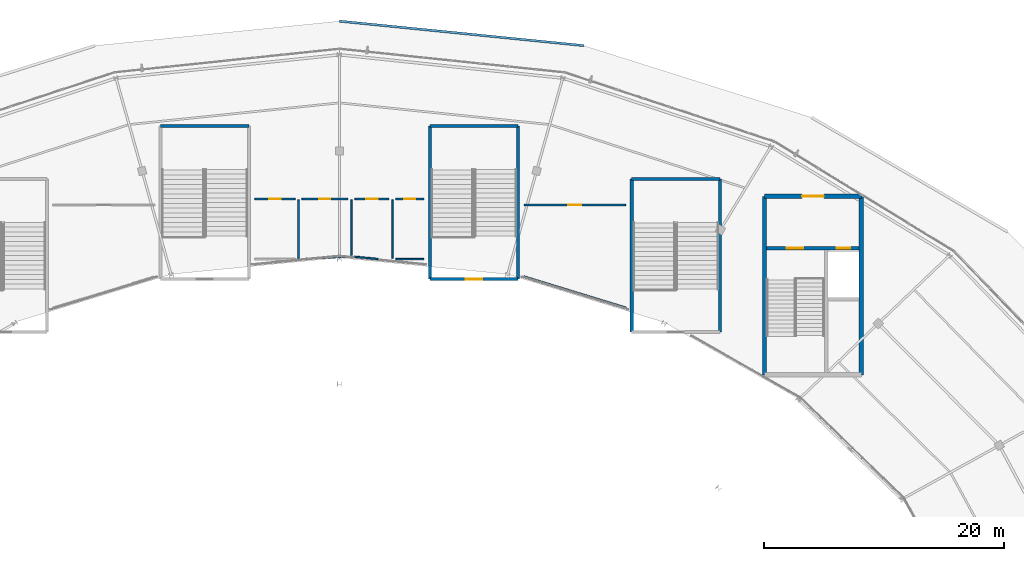
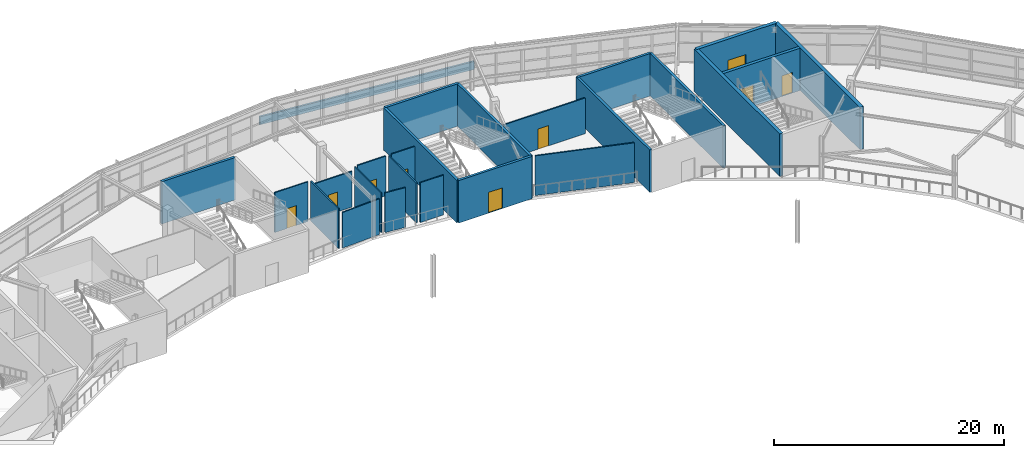
# One storey, part 109 of 126: 25 walls, 9 doors, 9 openings.
"""IFC4 building model written with IfcOpenShell, lengths in metres."""

from ifc_helpers import new_model, si_unit, direction, frame, frame_2d, origin, place, context, subcontext, project, spatial, rectangle, extrude, material, layer, layer_set, type_object, element, fill, save


model = new_model("IFC4")

# Units and contexts
model_context = context("Model", 3, precision=1e-05, world=origin(), true_north=direction((0.0, 1.0)))
body_context = subcontext(model_context, "Body", "Model", "MODEL_VIEW")
ifc_project = project(units=[si_unit("LENGTHUNIT", "METRE"), si_unit("AREAUNIT", "SQUARE_METRE"), si_unit("VOLUMEUNIT", "CUBIC_METRE"), si_unit("PLANEANGLEUNIT", "RADIAN"), si_unit("MASSUNIT", "GRAM", prefix="KILO")], contexts=[model_context])

# Site, building, storey
site_placement = place(None, origin())
site = spatial("IfcSite", under=ifc_project, at=site_placement, CompositionType="ELEMENT")
building_placement = place(site_placement, origin())
building = spatial("IfcBuilding", under=site, at=building_placement, Name="Kalgoora Escarpment Arena", CompositionType="ELEMENT")
storey_placement = place(building_placement, frame((0.0, 0.0, 18.89990234375)))
storey = spatial("IfcBuildingStorey", under=building, at=storey_placement, Name="L04", CompositionType="ELEMENT", Elevation=18.89990234375)

# Wall, opening, door
ifc_material_1 = material(Name="Concrete N50 (fc' 50 MPa)", Category="concrete")
ifc_layer_1 = layer(ifc_material_1, 0.35009765625)
ifc_layer_set_1 = layer_set([ifc_layer_1], Name="WAL-CORE-350")
wall_type_1 = type_object("IfcWallType", Name="WAL-CORE-350", PredefinedType="SHEAR", material=ifc_layer_set_1)
wall_1_placement = place(storey_placement, frame((127.77490234375, 109.22509765625, 0.0), z_axis=(0.0, 0.0, 1.0), x_axis=(1.0, 0.0, 0.0)))
wall_1 = element("IfcWall", 1, at=wall_1_placement, inside=storey, type_object=wall_type_1, Name="Core C4 L04 north lobby wall", PredefinedType="SHEAR", context=body_context, shape_type="SweptSolid", body=[
    extrude(rectangle(XDim=8.050048828125, YDim=0.35009765625, at=frame_2d((4.02490234375, 0.0))), origin(), (0.0, 0.0, 1.0), 4.5),
])
opening_1_placement = place(wall_1_placement, frame((3.125, 0.0, 0.0)))
opening_1 = element("IfcOpeningElement", 2, at=opening_1_placement, cuts=wall_1, Name="Opening FD-C4L", PredefinedType="OPENING", context=body_context, shape_type="SweptSolid", body=[
    extrude(rectangle(XDim=1.800048828125, YDim=2.25, at=frame_2d((0.89990234375, 1.125))), frame((0.0, 0.18505859375, 0.0), z_axis=(0.0, -1.0, 0.0), x_axis=(1.0, 0.0, 0.0)), (0.0, 0.0, 1.0), 0.3701171875),
])
ifc_material_2 = material(Name="Double fire-rated smoke-seal lobby door")
door_type_1 = type_object("IfcDoorType", Name="DR-LOBBY-1800", OperationType="NOTDEFINED", PredefinedType="DOOR", material=ifc_material_2)
door_1_placement = place(opening_1_placement, origin())
door_1 = element("IfcDoor", 3, at=door_1_placement, inside=storey, type_object=door_type_1, Name="Core C4 L04 smoke-lobby fire door", OperationType="DOUBLE_DOOR_SINGLE_SWING", OverallHeight=2.25, OverallWidth=1.800048828125, PredefinedType="DOOR", context=body_context, shape_type="SweptSolid", body=[
    extrude(rectangle(XDim=1.800048828125, YDim=2.25, at=frame_2d((0.89990234375, 1.125))), frame((0.0, 0.02490234375, 0.0), z_axis=(0.0, -1.0, 0.0), x_axis=(1.0, 0.0, 0.0)), (0.0, 0.0, 1.0), 0.050048828125),
])
fill(opening_1, door_1)

# Walls
for number, where, z_axis, x_axis, name in (
    (4, (127.77490234375, 94.375, 0.0), (0.0, 0.0, 1.0), (0.0, 1.0, 0.0), "Core C4 L04 west shear wall"),
    (5, (135.824951171875, 94.375, 0.0), (0.0, 0.0, 1.0), (0.0, 1.0, 0.0), "Core C4 L04 east shear wall"),
):
    element("IfcWall", number, at=place(storey_placement, frame(where, z_axis=z_axis, x_axis=x_axis)), inside=storey, type_object=wall_type_1, Name=name, PredefinedType="SHEAR", context=body_context, shape_type="SweptSolid", body=[
        extrude(rectangle(XDim=14.85009765625, YDim=0.35009765625, at=frame_2d((7.425048828125, 0.0))), origin(), (0.0, 0.0, 1.0), 4.5),
    ])
ifc_material_3 = material(Name="Hospitality acoustic drywall partition", Category="gypsum")
ifc_layer_2 = layer(ifc_material_3, 0.135009765625)
ifc_layer_set_2 = layer_set([ifc_layer_2], Name="WAL-DIN-135")
wall_type_2 = type_object("IfcWallType", Name="WAL-DIN-135", PredefinedType="PARTITIONING", material=ifc_layer_set_2)
wall_2_placement = place(storey_placement, frame((116.228515625, 99.947021484375, 0.0), z_axis=(0.0, 0.0, 1.0), x_axis=(-0.955968559478, 0.293469101082, 0.0)))
element("IfcWall", 6, at=wall_2_placement, inside=storey, type_object=wall_type_2, Name="L04 Sponsors Cocktail Lounge partition wall", PredefinedType="PARTITIONING", context=body_context, shape_type="SweptSolid", body=[
    extrude(rectangle(XDim=8.8466796875, YDim=0.135009765625, at=frame_2d((4.42333984375, 0.0))), origin(), (0.0, 0.0, 1.0), 4.210205078125),
])

# Wall, opening, door
wall_3_placement = place(storey_placement, frame((107.77490234375, 108.5, 0.0), z_axis=(0.0, 0.0, 1.0), x_axis=(1.0, 0.0, 0.0)))
wall_3 = element("IfcWall", 7, at=wall_3_placement, inside=storey, type_object=wall_type_2, Name="L04 Sponsors Cocktail Lounge partition wall", PredefinedType="PARTITIONING", context=body_context, shape_type="SweptSolid", body=[
    extrude(rectangle(XDim=8.4501953125, YDim=0.135009765625, at=frame_2d((4.22509765625, 0.0))), origin(), (0.0, 0.0, 1.0), 3.779052734375),
])
opening_2_placement = place(wall_3_placement, frame((3.68505859375, 0.0, 0.0)))
opening_2 = element("IfcOpeningElement", 8, at=opening_2_placement, cuts=wall_3, Name="Opening FD-I138", PredefinedType="OPENING", context=body_context, shape_type="SweptSolid", body=[
    extrude(rectangle(XDim=1.080078125, YDim=2.14990234375, at=frame_2d((0.5400390625, 1.074951171875))), frame((0.0, 0.077392578125, 0.0), z_axis=(0.0, -1.0, 0.0), x_axis=(1.0, 0.0, 0.0)), (0.0, 0.0, 1.0), 0.155029296875),
])
ifc_material_4 = material(Name="Solid-core acoustic timber door", Category="wood")
door_type_2 = type_object("IfcDoorType", Name="DR-GEN-1080", OperationType="NOTDEFINED", PredefinedType="DOOR", material=ifc_material_4)
door_2_placement = place(opening_2_placement, origin())
door_2 = element("IfcDoor", 9, at=door_2_placement, inside=storey, type_object=door_type_2, Name="Sponsors Cocktail Lounge entrance door", OperationType="SINGLE_SWING_RIGHT", OverallHeight=2.14990234375, OverallWidth=1.080078125, PredefinedType="DOOR", context=body_context, shape_type="SweptSolid", body=[
    extrude(rectangle(XDim=1.080078125, YDim=2.14990234375, at=frame_2d((0.5400390625, 1.074951171875))), frame((0.0, 0.02490234375, 0.0), z_axis=(0.0, -1.0, 0.0), x_axis=(1.0, 0.0, 0.0)), (0.0, 0.0, 1.0), 0.050048828125),
])
fill(opening_2, door_2)

# Wall
ifc_material_5 = material(Name="Stepped ziggurat roof parapet Concrete N40 (fc' 40 MPa)", Category="concrete")
ifc_layer_3 = layer(ifc_material_5, 0.18505859375)
ifc_layer_set_3 = layer_set([ifc_layer_3], Name="WAL-PAR-185")
wall_type_3 = type_object("IfcWallType", Name="WAL-PAR-185", PredefinedType="PARAPET", material=ifc_layer_set_3)
wall_4_placement = place(storey_placement, frame((92.39990234375, 123.800048828125, 0.0), z_axis=(0.0, 0.0, 1.0), x_axis=(0.995021334676, -0.099662146979, 0.0)))
element("IfcWall", 10, at=wall_4_placement, inside=storey, type_object=wall_type_3, Name="L04 stepped ziggurat limestone parapet 012", PredefinedType="PARAPET", context=body_context, shape_type="SweptSolid", body=[
    extrude(rectangle(XDim=20.445068359375, YDim=0.18505859375, at=frame_2d((10.22265625, 0.0))), origin(), (0.0, 0.0, 1.0), 0.85009765625),
])

# Wall, openings, doors
ifc_material_6 = material(Name="Concrete N50 (fc' 50 MPa)", Category="concrete")
ifc_layer_4 = layer(ifc_material_6, 0.300048828125)
ifc_layer_set_4 = layer_set([ifc_layer_4], Name="WAL-SHAFT-300")
wall_type_4 = type_object("IfcWallType", Name="WAL-SHAFT-300", PredefinedType="SHEAR", material=ifc_layer_set_4)
wall_5_placement = place(storey_placement, frame((127.949951171875, 104.89990234375, 0.0), z_axis=(0.0, 0.0, 1.0), x_axis=(1.0, 0.0, 0.0)))
wall_5 = element("IfcWall", 11, at=wall_5_placement, inside=storey, type_object=wall_type_4, Name="Core C4 L04 lobby shaft wall", PredefinedType="SHEAR", context=body_context, shape_type="SweptSolid", body=[
    extrude(rectangle(XDim=7.699951171875, YDim=0.300048828125, at=frame_2d((3.85009765625, 0.0))), origin(), (0.0, 0.0, 1.0), 4.5),
])
opening_3_placement = place(wall_5_placement, frame((1.64990234375, 0.0, 0.0)))
opening_3 = element("IfcOpeningElement", 12, at=opening_3_placement, cuts=wall_5, Name="Opening FD-ST04", PredefinedType="OPENING", context=body_context, shape_type="SweptSolid", body=[
    extrude(rectangle(XDim=1.39990234375, YDim=2.199951171875, at=frame_2d((0.699951171875, 1.10009765625))), frame((0.0, 0.159912109375, 0.0), z_axis=(0.0, -1.0, 0.0), x_axis=(1.0, 0.0, 0.0)), (0.0, 0.0, 1.0), 0.320068359375),
])
opening_4_placement = place(wall_5_placement, frame((5.85009765625, 0.0, 0.0)))
opening_4 = element("IfcOpeningElement", 13, at=opening_4_placement, cuts=wall_5, Name="Opening LD-PL2", PredefinedType="OPENING", context=body_context, shape_type="SweptSolid", body=[
    extrude(rectangle(XDim=1.10009765625, YDim=2.199951171875, at=frame_2d((0.550048828125, 1.10009765625))), frame((0.0, 0.159912109375, 0.0), z_axis=(0.0, -1.0, 0.0), x_axis=(1.0, 0.0, 0.0)), (0.0, 0.0, 1.0), 0.320068359375),
])
ifc_material_7 = material(Name="Brushed stainless steel sliding lift landing door", Category="steel")
door_type_3 = type_object("IfcDoorType", Name="DR-LD-PL2", OperationType="SLIDING_TO_LEFT", PredefinedType="DOOR", material=ifc_material_7)
door_3_placement = place(opening_4_placement, origin())
door_3 = element("IfcDoor", 14, at=door_3_placement, inside=storey, type_object=door_type_3, Name="Lift PL2 L04 sliding landing door", OperationType="SLIDING_TO_LEFT", OverallHeight=2.199951171875, OverallWidth=1.10009765625, PredefinedType="DOOR", context=body_context, shape_type="SweptSolid", body=[
    extrude(rectangle(XDim=1.10009765625, YDim=2.199951171875, at=frame_2d((0.550048828125, 1.10009765625))), frame((0.0, 0.02490234375, 0.0), z_axis=(0.0, -1.0, 0.0), x_axis=(1.0, 0.0, 0.0)), (0.0, 0.0, 1.0), 0.050048828125),
])
fill(opening_4, door_3)
ifc_material_8 = material(Name="Fire-rated steel stair leaf with vision panel", Category="steel")
door_type_4 = type_object("IfcDoorType", Name="DR-STAIR-1400", OperationType="NOTDEFINED", PredefinedType="DOOR", material=ifc_material_8)
door_4_placement = place(opening_3_placement, origin())
door_4 = element("IfcDoor", 15, at=door_4_placement, inside=storey, type_object=door_type_4, Name="Fire stair ST04 L04 fire door", OperationType="SINGLE_SWING_LEFT", OverallHeight=2.199951171875, OverallWidth=1.39990234375, PredefinedType="DOOR", context=body_context, shape_type="SweptSolid", body=[
    extrude(rectangle(XDim=1.39990234375, YDim=2.199951171875, at=frame_2d((0.699951171875, 1.10009765625))), frame((0.0, 0.02490234375, 0.0), z_axis=(0.0, -1.0, 0.0), x_axis=(1.0, 0.0, 0.0)), (0.0, 0.0, 1.0), 0.050048828125),
])
fill(opening_3, door_4)

# Wall
ifc_material_9 = material(Name="Concrete N50 (fc' 50 MPa)", Category="concrete")
ifc_layer_5 = layer(ifc_material_9, 0.25)
ifc_layer_set_5 = layer_set([ifc_layer_5], Name="WAL-STAIR-250")
wall_type_5 = type_object("IfcWallType", Name="WAL-STAIR-250", PredefinedType="SHEAR", material=ifc_layer_set_5)
wall_6_placement = place(storey_placement, frame((77.52490234375, 115.074951171875, 0.0), z_axis=(0.0, 0.0, 1.0), x_axis=(1.0, 0.0, 0.0)))
element("IfcWall", 16, at=wall_6_placement, inside=storey, type_object=wall_type_5, Name="Exit stair ST10 L04 north wall", PredefinedType="SHEAR", context=body_context, shape_type="SweptSolid", body=[
    extrude(rectangle(XDim=7.35009765625, YDim=0.25, at=frame_2d((3.675048828125, 0.0))), origin(), (0.0, 0.0, 1.0), 4.5),
])

# Wall, opening, door
wall_7_placement = place(storey_placement, frame((99.925048828125, 102.324951171875, 0.0), z_axis=(0.0, 0.0, 1.0), x_axis=(1.0, 0.0, 0.0)))
wall_7 = element("IfcWall", 17, at=wall_7_placement, inside=storey, type_object=wall_type_5, Name="Exit stair ST11 L04 south wall", PredefinedType="SHEAR", context=body_context, shape_type="SweptSolid", body=[
    extrude(rectangle(XDim=7.349853515625, YDim=0.25, at=frame_2d((3.6748046875, 0.0))), origin(), (0.0, 0.0, 1.0), 4.5),
])
opening_5_placement = place(wall_7_placement, frame((2.97509765625, 0.0, 0.0)))
opening_5 = element("IfcOpeningElement", 18, at=opening_5_placement, cuts=wall_7, Name="Opening FD-ST11", PredefinedType="OPENING", context=body_context, shape_type="SweptSolid", body=[
    extrude(rectangle(XDim=1.39990234375, YDim=2.199951171875, at=frame_2d((0.699951171875, 1.10009765625))), frame((0.0, 0.135009765625, 0.0), z_axis=(0.0, -1.0, 0.0), x_axis=(1.0, 0.0, 0.0)), (0.0, 0.0, 1.0), 0.27001953125),
])
door_5_placement = place(opening_5_placement, origin())
door_5 = element("IfcDoor", 19, at=door_5_placement, inside=storey, type_object=door_type_4, Name="Fire-isolated stair ST11 L04 egress door", OperationType="SINGLE_SWING_LEFT", OverallHeight=2.199951171875, OverallWidth=1.39990234375, PredefinedType="DOOR", context=body_context, shape_type="SweptSolid", body=[
    extrude(rectangle(XDim=1.39990234375, YDim=2.199951171875, at=frame_2d((0.699951171875, 1.10009765625))), frame((0.0, 0.02490234375, 0.0), z_axis=(0.0, -1.0, 0.0), x_axis=(1.0, 0.0, 0.0)), (0.0, 0.0, 1.0), 0.050048828125),
])
fill(opening_5, door_5)

# Walls
wall_8_placement = place(storey_placement, frame((99.925048828125, 115.074951171875, 0.0), z_axis=(0.0, 0.0, 1.0), x_axis=(1.0, 0.0, 0.0)))
element("IfcWall", 20, at=wall_8_placement, inside=storey, type_object=wall_type_5, Name="Exit stair ST11 L04 north wall", PredefinedType="SHEAR", context=body_context, shape_type="SweptSolid", body=[
    extrude(rectangle(XDim=7.349853515625, YDim=0.25, at=frame_2d((3.6748046875, 0.0))), origin(), (0.0, 0.0, 1.0), 4.5),
])
for number, where, z_axis, x_axis, name in (
    (21, (99.925048828125, 102.324951171875, 0.0), (0.0, 0.0, 1.0), (0.0, 1.0, 0.0), "Exit stair ST11 L04 west wall"),
    (22, (107.27490234375, 102.324951171875, 0.0), (0.0, 0.0, 1.0), (0.0, 1.0, 0.0), "Exit stair ST11 L04 east wall"),
):
    element("IfcWall", number, at=place(storey_placement, frame(where, z_axis=z_axis, x_axis=x_axis)), inside=storey, type_object=wall_type_5, Name=name, PredefinedType="SHEAR", context=body_context, shape_type="SweptSolid", body=[
        extrude(rectangle(XDim=12.75, YDim=0.25, at=frame_2d((6.375, 0.0))), origin(), (0.0, 0.0, 1.0), 4.5),
    ])
wall_9_placement = place(storey_placement, frame((116.72509765625, 110.675048828125, 0.0), z_axis=(0.0, 0.0, 1.0), x_axis=(1.0, 0.0, 0.0)))
element("IfcWall", 23, at=wall_9_placement, inside=storey, type_object=wall_type_5, Name="Exit stair ST12 L04 north wall", PredefinedType="SHEAR", context=body_context, shape_type="SweptSolid", body=[
    extrude(rectangle(XDim=7.349853515625, YDim=0.25, at=frame_2d((3.6748046875, 0.0))), origin(), (0.0, 0.0, 1.0), 4.5),
])
for number, where, z_axis, x_axis, name in (
    (24, (116.72509765625, 97.925048828125, 0.0), (0.0, 0.0, 1.0), (0.0, 1.0, 0.0), "Exit stair ST12 L04 west wall"),
    (25, (124.074951171875, 97.925048828125, 0.0), (0.0, 0.0, 1.0), (0.0, 1.0, 0.0), "Exit stair ST12 L04 east wall"),
):
    element("IfcWall", number, at=place(storey_placement, frame(where, z_axis=z_axis, x_axis=x_axis)), inside=storey, type_object=wall_type_5, Name=name, PredefinedType="SHEAR", context=body_context, shape_type="SweptSolid", body=[
        extrude(rectangle(XDim=12.75, YDim=0.25, at=frame_2d((6.375, 0.0))), origin(), (0.0, 0.0, 1.0), 4.5),
    ])
ifc_material_10 = material(Name="Moisture-resistant wet-area partition", Category="gypsum")
ifc_layer_6 = layer(ifc_material_10, 0.125)
ifc_layer_set_6 = layer_set([ifc_layer_6], Name="WAL-WC-125")
wall_type_6 = type_object("IfcWallType", Name="WAL-WC-125", PredefinedType="PARTITIONING", material=ifc_layer_set_6)
wall_10_placement = place(storey_placement, frame((89.0, 108.919921875, 0.0), z_axis=(0.0, 0.0, 1.0), x_axis=(0.0, -1.0, 0.0)))
element("IfcWall", 26, at=wall_10_placement, inside=storey, type_object=wall_type_6, Name="L04 Male WC partition wall", PredefinedType="PARTITIONING", context=body_context, shape_type="SweptSolid", body=[
    extrude(rectangle(XDim=4.83984375, YDim=0.125, at=frame_2d((2.419921875, 0.0))), origin(), (0.0, 0.0, 1.0), 4.22021484375),
])

# Wall, opening, door
wall_11_placement = place(storey_placement, frame((85.375, 109.0, 0.0), z_axis=(0.0, 0.0, 1.0), x_axis=(1.0, 0.0, 0.0)))
wall_11 = element("IfcWall", 27, at=wall_11_placement, inside=storey, type_object=wall_type_6, Name="L04 Male WC partition wall", PredefinedType="PARTITIONING", context=body_context, shape_type="SweptSolid", body=[
    extrude(rectangle(XDim=3.340087890625, YDim=0.125, at=frame_2d((1.669921875, 0.0))), origin(), (0.0, 0.0, 1.0), 4.22021484375),
])
opening_6_placement = place(wall_11_placement, frame((1.195068359375, 0.0, 0.0)))
opening_6 = element("IfcOpeningElement", 28, at=opening_6_placement, cuts=wall_11, Name="Opening D-I131", PredefinedType="OPENING", context=body_context, shape_type="SweptSolid", body=[
    extrude(rectangle(XDim=0.949951171875, YDim=2.10009765625, at=frame_2d((0.47509765625, 1.050048828125))), frame((0.0, 0.072509765625, 0.0), z_axis=(0.0, -1.0, 0.0), x_axis=(1.0, 0.0, 0.0)), (0.0, 0.0, 1.0), 0.14501953125),
])
ifc_material_11 = material(Name="Moisture-resistant laminate accessible WC door")
door_type_5 = type_object("IfcDoorType", Name="DR-WC-0950", OperationType="NOTDEFINED", PredefinedType="DOOR", material=ifc_material_11)
door_6_placement = place(opening_6_placement, origin())
door_6 = element("IfcDoor", 29, at=door_6_placement, inside=storey, type_object=door_type_5, Name="Male WC entrance door", OperationType="SINGLE_SWING_RIGHT", OverallHeight=2.10009765625, OverallWidth=0.949951171875, PredefinedType="DOOR", context=body_context, shape_type="SweptSolid", body=[
    extrude(rectangle(XDim=0.949951171875, YDim=2.10009765625, at=frame_2d((0.47509765625, 1.050048828125))), frame((0.0, 0.02490234375, 0.0), z_axis=(0.0, -1.0, 0.0), x_axis=(1.0, 0.0, 0.0)), (0.0, 0.0, 1.0), 0.050048828125),
])
fill(opening_6, door_6)

# Walls
wall_12_placement = place(storey_placement, frame((93.39990234375, 108.919921875, 0.0), z_axis=(0.0, 0.0, 1.0), x_axis=(0.0, -1.0, 0.0)))
element("IfcWall", 30, at=wall_12_placement, inside=storey, type_object=wall_type_6, Name="L04 Female WC partition wall", PredefinedType="PARTITIONING", context=body_context, shape_type="SweptSolid", body=[
    extrude(rectangle(XDim=4.616455078125, YDim=0.125, at=frame_2d((2.30810546875, 0.0))), origin(), (0.0, 0.0, 1.0), 4.210205078125),
])
wall_13_placement = place(storey_placement, frame((93.119873046875, 104.208984375, 0.0), z_axis=(0.0, 0.0, 1.0), x_axis=(-0.99866504152, -0.051653991574, 0.0)))
element("IfcWall", 31, at=wall_13_placement, inside=storey, type_object=wall_type_6, Name="L04 Female WC partition wall", PredefinedType="PARTITIONING", context=body_context, shape_type="SweptSolid", body=[
    extrude(rectangle(XDim=3.837890625, YDim=0.125, at=frame_2d((1.9189453125, 0.0))), origin(), (0.0, 0.0, 1.0), 3.779052734375),
])

# Wall, opening, door
wall_14_placement = place(storey_placement, frame((89.284912109375, 109.0, 0.0), z_axis=(0.0, 0.0, 1.0), x_axis=(1.0, 0.0, 0.0)))
wall_14 = element("IfcWall", 32, at=wall_14_placement, inside=storey, type_object=wall_type_6, Name="L04 Female WC partition wall", PredefinedType="PARTITIONING", context=body_context, shape_type="SweptSolid", body=[
    extrude(rectangle(XDim=3.830322265625, YDim=0.125, at=frame_2d((1.9150390625, 0.0))), origin(), (0.0, 0.0, 1.0), 3.779052734375),
])
opening_7_placement = place(wall_14_placement, frame((1.455078125, 0.0, 0.0)))
opening_7 = element("IfcOpeningElement", 33, at=opening_7_placement, cuts=wall_14, Name="Opening D-I132", PredefinedType="OPENING", context=body_context, shape_type="SweptSolid", body=[
    extrude(rectangle(XDim=0.919921875, YDim=2.10009765625, at=frame_2d((0.4599609375, 1.050048828125))), frame((0.0, 0.072509765625, 0.0), z_axis=(0.0, -1.0, 0.0), x_axis=(1.0, 0.0, 0.0)), (0.0, 0.0, 1.0), 0.14501953125),
])
ifc_material_12 = material(Name="Moisture-resistant laminate WC door")
door_type_6 = type_object("IfcDoorType", Name="DR-WC-0920", OperationType="NOTDEFINED", PredefinedType="DOOR", material=ifc_material_12)
door_7_placement = place(opening_7_placement, origin())
door_7 = element("IfcDoor", 34, at=door_7_placement, inside=storey, type_object=door_type_6, Name="Female WC entrance door", OperationType="SINGLE_SWING_LEFT", OverallHeight=2.10009765625, OverallWidth=0.919921875, PredefinedType="DOOR", context=body_context, shape_type="SweptSolid", body=[
    extrude(rectangle(XDim=0.919921875, YDim=2.10009765625, at=frame_2d((0.4599609375, 1.050048828125))), frame((0.0, 0.02490234375, 0.0), z_axis=(0.0, -1.0, 0.0), x_axis=(1.0, 0.0, 0.0)), (0.0, 0.0, 1.0), 0.050048828125),
])
fill(opening_7, door_7)

# Walls
wall_15_placement = place(storey_placement, frame((96.800048828125, 108.919921875, 0.0), z_axis=(0.0, 0.0, 1.0), x_axis=(0.0, -1.0, 0.0)))
element("IfcWall", 35, at=wall_15_placement, inside=storey, type_object=wall_type_6, Name="L04 Accessible WC partition wall", PredefinedType="PARTITIONING", context=body_context, shape_type="SweptSolid", body=[
    extrude(rectangle(XDim=4.83984375, YDim=0.125, at=frame_2d((2.419921875, 0.0))), origin(), (0.0, 0.0, 1.0), 4.210205078125),
])
wall_16_placement = place(storey_placement, frame((95.6103515625, 104.0078125, 0.0), z_axis=(0.0, 0.0, 1.0), x_axis=(-0.995275522058, 0.097090860494, 0.0)))
element("IfcWall", 36, at=wall_16_placement, inside=storey, type_object=wall_type_6, Name="L04 Accessible WC partition wall", PredefinedType="PARTITIONING", context=body_context, shape_type="SweptSolid", body=[
    extrude(rectangle(XDim=1.94384765625, YDim=0.125, at=frame_2d((0.971923828125, 0.0))), origin(), (0.0, 0.0, 1.0), 4.210205078125),
])

# Wall, opening, door
wall_17_placement = place(storey_placement, frame((93.684814453125, 109.0, 0.0), z_axis=(0.0, 0.0, 1.0), x_axis=(1.0, 0.0, 0.0)))
wall_17 = element("IfcWall", 37, at=wall_17_placement, inside=storey, type_object=wall_type_6, Name="L04 Accessible WC partition wall", PredefinedType="PARTITIONING", context=body_context, shape_type="SweptSolid", body=[
    extrude(rectangle(XDim=2.830322265625, YDim=0.125, at=frame_2d((1.4150390625, 0.0))), origin(), (0.0, 0.0, 1.0), 4.210205078125),
])
opening_8_placement = place(wall_17_placement, frame((0.940185546875, 0.0, 0.0)))
opening_8 = element("IfcOpeningElement", 38, at=opening_8_placement, cuts=wall_17, Name="Opening D-I133", PredefinedType="OPENING", context=body_context, shape_type="SweptSolid", body=[
    extrude(rectangle(XDim=0.949951171875, YDim=2.10009765625, at=frame_2d((0.47509765625, 1.050048828125))), frame((0.0, 0.072509765625, 0.0), z_axis=(0.0, -1.0, 0.0), x_axis=(1.0, 0.0, 0.0)), (0.0, 0.0, 1.0), 0.14501953125),
])
door_8_placement = place(opening_8_placement, origin())
door_8 = element("IfcDoor", 39, at=door_8_placement, inside=storey, type_object=door_type_5, Name="Accessible WC entrance door", OperationType="SINGLE_SWING_RIGHT", OverallHeight=2.10009765625, OverallWidth=0.949951171875, PredefinedType="DOOR", context=body_context, shape_type="SweptSolid", body=[
    extrude(rectangle(XDim=0.949951171875, YDim=2.10009765625, at=frame_2d((0.47509765625, 1.050048828125))), frame((0.0, 0.02490234375, 0.0), z_axis=(0.0, -1.0, 0.0), x_axis=(1.0, 0.0, 0.0)), (0.0, 0.0, 1.0), 0.050048828125),
])
fill(opening_8, door_8)

# Wall
wall_18_placement = place(storey_placement, frame((99.425048828125, 104.0, 0.0), z_axis=(0.0, 0.0, 1.0), x_axis=(-1.0, 0.0, 0.0)))
element("IfcWall", 40, at=wall_18_placement, inside=storey, type_object=wall_type_6, Name="L04 Staff WC partition wall", PredefinedType="PARTITIONING", context=body_context, shape_type="SweptSolid", body=[
    extrude(rectangle(XDim=2.34033203125, YDim=0.125, at=frame_2d((1.170166015625, 0.0))), origin(), (0.0, 0.0, 1.0), 4.210205078125),
])

# Wall, opening, door
wall_19_placement = place(storey_placement, frame((97.084716796875, 109.0, 0.0), z_axis=(0.0, 0.0, 1.0), x_axis=(1.0, 0.0, 0.0)))
wall_19 = element("IfcWall", 41, at=wall_19_placement, inside=storey, type_object=wall_type_6, Name="L04 Staff WC partition wall", PredefinedType="PARTITIONING", context=body_context, shape_type="SweptSolid", body=[
    extrude(rectangle(XDim=2.34033203125, YDim=0.125, at=frame_2d((1.170166015625, 0.0))), origin(), (0.0, 0.0, 1.0), 4.210205078125),
])
opening_9_placement = place(wall_19_placement, frame((0.710205078125, 0.0, 0.0)))
opening_9 = element("IfcOpeningElement", 42, at=opening_9_placement, cuts=wall_19, Name="Opening D-I134", PredefinedType="OPENING", context=body_context, shape_type="SweptSolid", body=[
    extrude(rectangle(XDim=0.919921875, YDim=2.10009765625, at=frame_2d((0.4599609375, 1.050048828125))), frame((0.0, 0.072509765625, 0.0), z_axis=(0.0, -1.0, 0.0), x_axis=(1.0, 0.0, 0.0)), (0.0, 0.0, 1.0), 0.14501953125),
])
door_9_placement = place(opening_9_placement, origin())
door_9 = element("IfcDoor", 43, at=door_9_placement, inside=storey, type_object=door_type_6, Name="Staff WC entrance door", OperationType="SINGLE_SWING_LEFT", OverallHeight=2.10009765625, OverallWidth=0.919921875, PredefinedType="DOOR", context=body_context, shape_type="SweptSolid", body=[
    extrude(rectangle(XDim=0.919921875, YDim=2.10009765625, at=frame_2d((0.4599609375, 1.050048828125))), frame((0.0, 0.02490234375, 0.0), z_axis=(0.0, -1.0, 0.0), x_axis=(1.0, 0.0, 0.0)), (0.0, 0.0, 1.0), 0.050048828125),
])
fill(opening_9, door_9)

save(model, "model.ifc")
